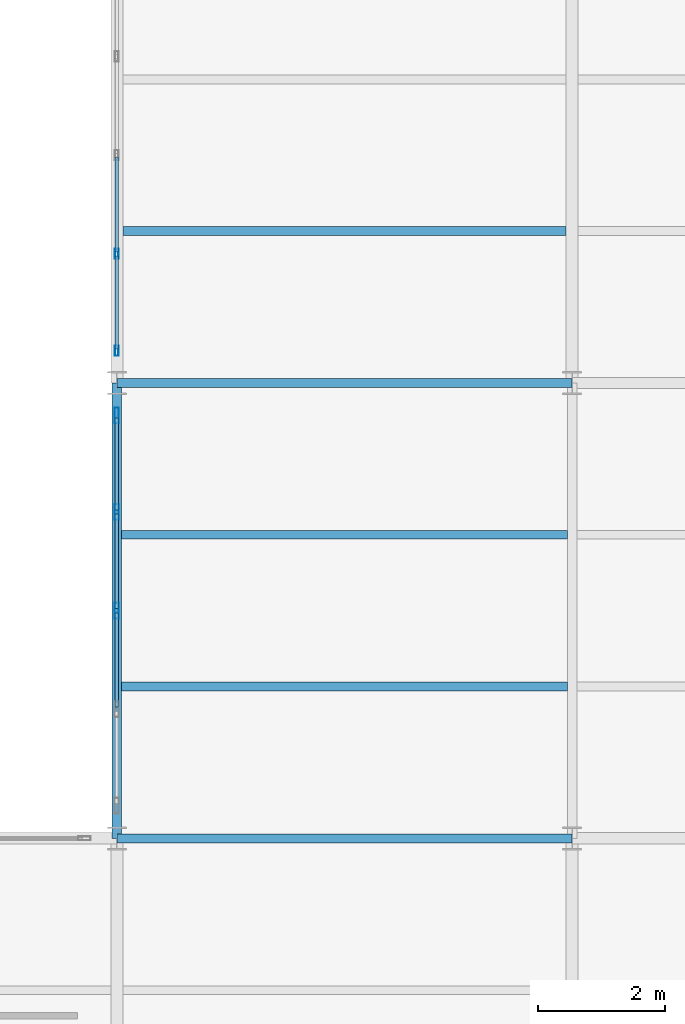
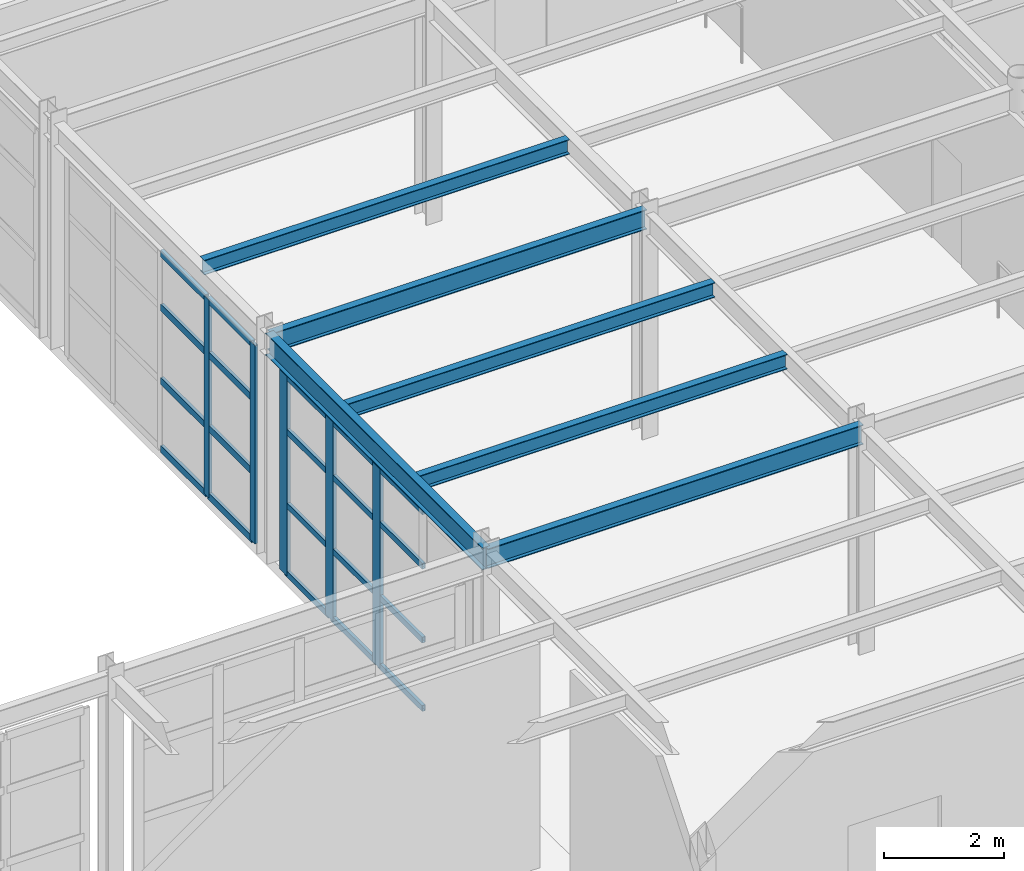
# One storey, part 33 of 126: 25 members, 6 beams, 2 elements without a shape of their own.
"""IFC4 building model written with IfcOpenShell, lengths in metres."""

from ifc_helpers import new_model, si_unit, direction, frame, origin, origin_2d, place, context, subcontext, project, spatial, hollow_rectangle, i_section, extrude, material, layer, layer_set, material_profile, profile_set, type_object, element, aggregate, save


model = new_model("IFC4")

# Units and contexts
model_context = context("Model", 3, precision=1e-05, world=origin(), true_north=direction((0.0, 1.0)))
body_context = subcontext(model_context, "Body", "Model", "MODEL_VIEW")
ifc_project = project(units=[si_unit("LENGTHUNIT", "METRE"), si_unit("AREAUNIT", "SQUARE_METRE"), si_unit("VOLUMEUNIT", "CUBIC_METRE"), si_unit("PLANEANGLEUNIT", "RADIAN"), si_unit("MASSUNIT", "GRAM", prefix="KILO")], contexts=[model_context])

# Site, building, storey
site_placement = place(None, origin())
site = spatial("IfcSite", under=ifc_project, at=site_placement, CompositionType="ELEMENT")
building_placement = place(site_placement, origin())
building = spatial("IfcBuilding", under=site, at=building_placement, Name="Solvadek Multi-Sports Hall", CompositionType="ELEMENT")
storey_placement = place(building_placement, frame((0.0, 0.0, 9.60009765625)))
storey = spatial("IfcBuildingStorey", under=building, at=storey_placement, Name="L02", CompositionType="ELEMENT", Elevation=9.60009765625)

# Curtain wall, members
ifc_material_1 = material(Name="Anodised aluminium", Category="aluminium")
ifc_layer_1 = layer(ifc_material_1, 0.159912109375, Name="Anodised aluminium")
ifc_layer_set_1 = layer_set([ifc_layer_1], Name="Anodised aluminium")
curtain_wall_type_1 = type_object("IfcCurtainWallType", Name="ENV-CW-624X403", PredefinedType="USERDEFINED", material=ifc_layer_set_1)
curtain_wall_1_placement = place(storey_placement, origin())
curtain_wall_1 = element("IfcCurtainWall", 1, at=curtain_wall_1_placement, inside=storey, type_object=curtain_wall_type_1, Name="L02 Perimeter Bay Curtain Wall #191", ObjectType="CURTAIN WALL", PredefinedType="USERDEFINED")
ifc_material_profile_1 = material_profile(ifc_material_1, hollow_rectangle(XDim=0.06005859375, YDim=0.159912109375, WallThickness=0.00390625, at=origin_2d()), Name="ALU-M 160x60x4")
ifc_profile_set_1 = profile_set([ifc_material_profile_1], Name="Anodised aluminium")
member_type_1 = type_object("IfcMemberType", Name="ENV-CWM-01", PredefinedType="MULLION", material=ifc_profile_set_1)
member_1_placement = place(storey_placement, frame((57.60009765625, 28.110107421875, 0.0), z_axis=(0.0, 0.0, 1.0), x_axis=(-1.0, 0.0, 0.0)))
member_1 = element("IfcMember", 2, at=member_1_placement, type_object=member_type_1, Name="CW-43 mullion 1", PredefinedType="MULLION", context=body_context, shape_type="SweptSolid", body=[
    extrude(hollow_rectangle(XDim=0.06005859375, YDim=0.159912109375, WallThickness=0.00390625, at=origin_2d()), origin(), (0.0, 0.0, 1.0), 4.02490234375),
])
member_2_placement = place(storey_placement, frame((57.60009765625, 29.639892578125, 0.0), z_axis=(0.0, 0.0, 1.0), x_axis=(-1.0, 0.0, 0.0)))
member_2 = element("IfcMember", 3, at=member_2_placement, type_object=member_type_1, Name="CW-43 mullion 2", PredefinedType="MULLION", context=body_context, shape_type="SweptSolid", body=[
    extrude(hollow_rectangle(XDim=0.06005859375, YDim=0.159912109375, WallThickness=0.00390625, at=origin_2d()), origin(), (0.0, 0.0, 1.0), 4.02490234375),
])

ifc_layer_2 = layer(ifc_material_1, 0.159912109375, Name="Anodised aluminium")
ifc_layer_set_2 = layer_set([ifc_layer_2], Name="Anodised aluminium")
curtain_wall_type_2 = type_object("IfcCurtainWallType", Name="ENV-CW-624X405", PredefinedType="USERDEFINED", material=ifc_layer_set_2)
curtain_wall_2_placement = place(storey_placement, origin())
curtain_wall_2 = element("IfcCurtainWall", 4, at=curtain_wall_2_placement, inside=storey, type_object=curtain_wall_type_2, Name="L02 Perimeter Bay Curtain Wall #185", ObjectType="CURTAIN WALL", PredefinedType="USERDEFINED")
ifc_material_profile_2 = material_profile(ifc_material_1, hollow_rectangle(XDim=0.070068359375, YDim=0.25, WallThickness=0.0048828125, at=origin_2d()), Name="ALU-M 250x70x5")
ifc_profile_set_2 = profile_set([ifc_material_profile_2], Name="Anodised aluminium")
member_type_2 = type_object("IfcMemberType", Name="ENV-CWM-05", PredefinedType="MULLION", material=ifc_profile_set_2)
member_3_placement = place(storey_placement, frame((57.60009765625, 24.0, 0.0), z_axis=(0.0, 0.0, 1.0), x_axis=(-1.0, 0.0, 0.0)))
member_3 = element("IfcMember", 5, at=member_3_placement, type_object=member_type_2, Name="CW-52 mullion 3", PredefinedType="MULLION", context=body_context, shape_type="SweptSolid", body=[
    extrude(hollow_rectangle(XDim=0.070068359375, YDim=0.25, WallThickness=0.0048828125, at=origin_2d()), origin(), (0.0, 0.0, 1.0), 4.0498046875),
])
member_4_placement = place(storey_placement, frame((57.60009765625, 25.56005859375, 0.0), z_axis=(0.0, 0.0, 1.0), x_axis=(-1.0, 0.0, 0.0)))
member_4 = element("IfcMember", 6, at=member_4_placement, type_object=member_type_2, Name="CW-52 mullion 4", PredefinedType="MULLION", context=body_context, shape_type="SweptSolid", body=[
    extrude(hollow_rectangle(XDim=0.070068359375, YDim=0.25, WallThickness=0.0048828125, at=origin_2d()), origin(), (0.0, 0.0, 1.0), 4.0498046875),
])
member_5_placement = place(storey_placement, frame((57.60009765625, 27.0849609375, 0.0), z_axis=(0.0, 0.0, 1.0), x_axis=(-1.0, 0.0, 0.0)))
member_5 = element("IfcMember", 7, at=member_5_placement, type_object=member_type_2, Name="CW-52 mullion 5", PredefinedType="MULLION", context=body_context, shape_type="SweptSolid", body=[
    extrude(hollow_rectangle(XDim=0.070068359375, YDim=0.25, WallThickness=0.0048828125, at=origin_2d()), origin(), (0.0, 0.0, 1.0), 4.0498046875),
])
ifc_material_profile_3 = material_profile(ifc_material_1, hollow_rectangle(XDim=0.06005859375, YDim=0.1201171875, WallThickness=0.00390625, at=origin_2d()), Name="ALU-T 120x60x4")
ifc_profile_set_3 = profile_set([ifc_material_profile_3], Name="Anodised aluminium")
member_type_3 = type_object("IfcMemberType", Name="ENV-CWT-01", PredefinedType="USERDEFINED", material=ifc_profile_set_3)
member_6_placement = place(storey_placement, frame((57.60009765625, 22.47509765625, 0.02978515625), z_axis=(0.0, 1.0, 0.0), x_axis=(-1.0, 0.0, 0.0)))
member_6 = element("IfcMember", 8, at=member_6_placement, type_object=member_type_3, Name="CW-52 transom 2.1", ObjectType="TRANSOM", PredefinedType="USERDEFINED", context=body_context, shape_type="SweptSolid", body=[
    extrude(hollow_rectangle(XDim=0.06005859375, YDim=0.1201171875, WallThickness=0.00390625, at=origin_2d()), origin(), (0.0, 0.0, 1.0), 1.489990234375),
])
member_7_placement = place(storey_placement, frame((57.60009765625, 22.47509765625, 1.41796875), z_axis=(0.0, 1.0, 0.0), x_axis=(-1.0, 0.0, 0.0)))
member_7 = element("IfcMember", 9, at=member_7_placement, type_object=member_type_3, Name="CW-52 transom 2.2", ObjectType="TRANSOM", PredefinedType="USERDEFINED", context=body_context, shape_type="SweptSolid", body=[
    extrude(hollow_rectangle(XDim=0.06005859375, YDim=0.1201171875, WallThickness=0.00390625, at=origin_2d()), origin(), (0.0, 0.0, 1.0), 1.489990234375),
])
member_8_placement = place(storey_placement, frame((57.60009765625, 22.47509765625, 2.916015625), z_axis=(0.0, 1.0, 0.0), x_axis=(-1.0, 0.0, 0.0)))
member_8 = element("IfcMember", 10, at=member_8_placement, type_object=member_type_3, Name="CW-52 transom 2.3", ObjectType="TRANSOM", PredefinedType="USERDEFINED", context=body_context, shape_type="SweptSolid", body=[
    extrude(hollow_rectangle(XDim=0.06005859375, YDim=0.1201171875, WallThickness=0.00390625, at=origin_2d()), origin(), (0.0, 0.0, 1.0), 1.489990234375),
])
member_9_placement = place(storey_placement, frame((57.60009765625, 22.47509765625, 4.02001953125), z_axis=(0.0, 1.0, 0.0), x_axis=(-1.0, 0.0, 0.0)))
member_9 = element("IfcMember", 11, at=member_9_placement, type_object=member_type_3, Name="CW-52 transom 2.4", ObjectType="TRANSOM", PredefinedType="USERDEFINED", context=body_context, shape_type="SweptSolid", body=[
    extrude(hollow_rectangle(XDim=0.06005859375, YDim=0.1201171875, WallThickness=0.00390625, at=origin_2d()), origin(), (0.0, 0.0, 1.0), 1.489990234375),
])
member_10_placement = place(storey_placement, frame((57.60009765625, 24.034912109375, 0.02978515625), z_axis=(0.0, 1.0, 0.0), x_axis=(-1.0, 0.0, 0.0)))
member_10 = element("IfcMember", 12, at=member_10_placement, type_object=member_type_3, Name="CW-52 transom 3.1", ObjectType="TRANSOM", PredefinedType="USERDEFINED", context=body_context, shape_type="SweptSolid", body=[
    extrude(hollow_rectangle(XDim=0.06005859375, YDim=0.1201171875, WallThickness=0.00390625, at=origin_2d()), origin(), (0.0, 0.0, 1.0), 1.489990234375),
])
member_11_placement = place(storey_placement, frame((57.60009765625, 24.034912109375, 1.41796875), z_axis=(0.0, 1.0, 0.0), x_axis=(-1.0, 0.0, 0.0)))
member_11 = element("IfcMember", 13, at=member_11_placement, type_object=member_type_3, Name="CW-52 transom 3.2", ObjectType="TRANSOM", PredefinedType="USERDEFINED", context=body_context, shape_type="SweptSolid", body=[
    extrude(hollow_rectangle(XDim=0.06005859375, YDim=0.1201171875, WallThickness=0.00390625, at=origin_2d()), origin(), (0.0, 0.0, 1.0), 1.489990234375),
])
member_12_placement = place(storey_placement, frame((57.60009765625, 24.034912109375, 2.916015625), z_axis=(0.0, 1.0, 0.0), x_axis=(-1.0, 0.0, 0.0)))
member_12 = element("IfcMember", 14, at=member_12_placement, type_object=member_type_3, Name="CW-52 transom 3.3", ObjectType="TRANSOM", PredefinedType="USERDEFINED", context=body_context, shape_type="SweptSolid", body=[
    extrude(hollow_rectangle(XDim=0.06005859375, YDim=0.1201171875, WallThickness=0.00390625, at=origin_2d()), origin(), (0.0, 0.0, 1.0), 1.489990234375),
])
member_13_placement = place(storey_placement, frame((57.60009765625, 24.034912109375, 4.02001953125), z_axis=(0.0, 1.0, 0.0), x_axis=(-1.0, 0.0, 0.0)))
member_13 = element("IfcMember", 15, at=member_13_placement, type_object=member_type_3, Name="CW-52 transom 3.4", ObjectType="TRANSOM", PredefinedType="USERDEFINED", context=body_context, shape_type="SweptSolid", body=[
    extrude(hollow_rectangle(XDim=0.06005859375, YDim=0.1201171875, WallThickness=0.00390625, at=origin_2d()), origin(), (0.0, 0.0, 1.0), 1.489990234375),
])
member_14_placement = place(storey_placement, frame((57.60009765625, 25.594970703125, 0.02978515625), z_axis=(0.0, 1.0, 0.0), x_axis=(-1.0, 0.0, 0.0)))
member_14 = element("IfcMember", 16, at=member_14_placement, type_object=member_type_3, Name="CW-52 transom 4.1", ObjectType="TRANSOM", PredefinedType="USERDEFINED", context=body_context, shape_type="SweptSolid", body=[
    extrude(hollow_rectangle(XDim=0.06005859375, YDim=0.1201171875, WallThickness=0.00390625, at=origin_2d()), origin(), (0.0, 0.0, 1.0), 1.455078125),
])
member_15_placement = place(storey_placement, frame((57.60009765625, 25.594970703125, 1.41796875), z_axis=(0.0, 1.0, 0.0), x_axis=(-1.0, 0.0, 0.0)))
member_15 = element("IfcMember", 17, at=member_15_placement, type_object=member_type_3, Name="CW-52 transom 4.2", ObjectType="TRANSOM", PredefinedType="USERDEFINED", context=body_context, shape_type="SweptSolid", body=[
    extrude(hollow_rectangle(XDim=0.06005859375, YDim=0.1201171875, WallThickness=0.00390625, at=origin_2d()), origin(), (0.0, 0.0, 1.0), 1.455078125),
])
member_16_placement = place(storey_placement, frame((57.60009765625, 25.594970703125, 2.916015625), z_axis=(0.0, 1.0, 0.0), x_axis=(-1.0, 0.0, 0.0)))
member_16 = element("IfcMember", 18, at=member_16_placement, type_object=member_type_3, Name="CW-52 transom 4.3", ObjectType="TRANSOM", PredefinedType="USERDEFINED", context=body_context, shape_type="SweptSolid", body=[
    extrude(hollow_rectangle(XDim=0.06005859375, YDim=0.1201171875, WallThickness=0.00390625, at=origin_2d()), origin(), (0.0, 0.0, 1.0), 1.455078125),
])
member_17_placement = place(storey_placement, frame((57.60009765625, 25.594970703125, 4.02001953125), z_axis=(0.0, 1.0, 0.0), x_axis=(-1.0, 0.0, 0.0)))
member_17 = element("IfcMember", 19, at=member_17_placement, type_object=member_type_3, Name="CW-52 transom 4.4", ObjectType="TRANSOM", PredefinedType="USERDEFINED", context=body_context, shape_type="SweptSolid", body=[
    extrude(hollow_rectangle(XDim=0.06005859375, YDim=0.1201171875, WallThickness=0.00390625, at=origin_2d()), origin(), (0.0, 0.0, 1.0), 1.455078125),
])
aggregate(curtain_wall_2, [member_3, member_4, member_5, member_6, member_7, member_8, member_9, member_10, member_11, member_12, member_13, member_14, member_15, member_16, member_17])

# Member
ifc_material_profile_4 = material_profile(ifc_material_1, hollow_rectangle(XDim=0.06005859375, YDim=0.139892578125, WallThickness=0.00390625, at=origin_2d()), Name="ALU-T 140x60x4")
ifc_profile_set_4 = profile_set([ifc_material_profile_4], Name="Anodised aluminium")
member_type_4 = type_object("IfcMemberType", Name="ENV-CWT-02", PredefinedType="USERDEFINED", material=ifc_profile_set_4)
member_18_placement = place(storey_placement, frame((57.60009765625, 28.139892578125, 0.02978515625), z_axis=(0.0, 1.0, 0.0), x_axis=(-1.0, 0.0, 0.0)))
member_18 = element("IfcMember", 20, at=member_18_placement, type_object=member_type_4, Name="CW-43 transom 1.1", ObjectType="TRANSOM", PredefinedType="USERDEFINED", context=body_context, shape_type="SweptSolid", body=[
    extrude(hollow_rectangle(XDim=0.06005859375, YDim=0.139892578125, WallThickness=0.00390625, at=origin_2d()), origin(), (0.0, 0.0, 1.0), 1.47021484375),
])

member_19_placement = place(storey_placement, frame((57.60009765625, 28.139892578125, 1.408935546875), z_axis=(0.0, 1.0, 0.0), x_axis=(-1.0, 0.0, 0.0)))
member_19 = element("IfcMember", 21, at=member_19_placement, type_object=member_type_4, Name="CW-43 transom 1.2", ObjectType="TRANSOM", PredefinedType="USERDEFINED", context=body_context, shape_type="SweptSolid", body=[
    extrude(hollow_rectangle(XDim=0.06005859375, YDim=0.139892578125, WallThickness=0.00390625, at=origin_2d()), origin(), (0.0, 0.0, 1.0), 1.47021484375),
])

member_20_placement = place(storey_placement, frame((57.60009765625, 28.139892578125, 2.89794921875), z_axis=(0.0, 1.0, 0.0), x_axis=(-1.0, 0.0, 0.0)))
member_20 = element("IfcMember", 22, at=member_20_placement, type_object=member_type_4, Name="CW-43 transom 1.3", ObjectType="TRANSOM", PredefinedType="USERDEFINED", context=body_context, shape_type="SweptSolid", body=[
    extrude(hollow_rectangle(XDim=0.06005859375, YDim=0.139892578125, WallThickness=0.00390625, at=origin_2d()), origin(), (0.0, 0.0, 1.0), 1.47021484375),
])

member_21_placement = place(storey_placement, frame((57.60009765625, 28.139892578125, 3.994873046875), z_axis=(0.0, 1.0, 0.0), x_axis=(-1.0, 0.0, 0.0)))
member_21 = element("IfcMember", 23, at=member_21_placement, type_object=member_type_4, Name="CW-43 transom 1.4", ObjectType="TRANSOM", PredefinedType="USERDEFINED", context=body_context, shape_type="SweptSolid", body=[
    extrude(hollow_rectangle(XDim=0.06005859375, YDim=0.139892578125, WallThickness=0.00390625, at=origin_2d()), origin(), (0.0, 0.0, 1.0), 1.47021484375),
])

member_22_placement = place(storey_placement, frame((57.60009765625, 29.669921875, 0.02978515625), z_axis=(0.0, 1.0, 0.0), x_axis=(-1.0, 0.0, 0.0)))
member_22 = element("IfcMember", 24, at=member_22_placement, type_object=member_type_4, Name="CW-43 transom 2.1", ObjectType="TRANSOM", PredefinedType="USERDEFINED", context=body_context, shape_type="SweptSolid", body=[
    extrude(hollow_rectangle(XDim=0.06005859375, YDim=0.139892578125, WallThickness=0.00390625, at=origin_2d()), origin(), (0.0, 0.0, 1.0), 1.5),
])

member_23_placement = place(storey_placement, frame((57.60009765625, 29.669921875, 1.408935546875), z_axis=(0.0, 1.0, 0.0), x_axis=(-1.0, 0.0, 0.0)))
member_23 = element("IfcMember", 25, at=member_23_placement, type_object=member_type_4, Name="CW-43 transom 2.2", ObjectType="TRANSOM", PredefinedType="USERDEFINED", context=body_context, shape_type="SweptSolid", body=[
    extrude(hollow_rectangle(XDim=0.06005859375, YDim=0.139892578125, WallThickness=0.00390625, at=origin_2d()), origin(), (0.0, 0.0, 1.0), 1.5),
])

member_24_placement = place(storey_placement, frame((57.60009765625, 29.669921875, 2.89794921875), z_axis=(0.0, 1.0, 0.0), x_axis=(-1.0, 0.0, 0.0)))
member_24 = element("IfcMember", 26, at=member_24_placement, type_object=member_type_4, Name="CW-43 transom 2.3", ObjectType="TRANSOM", PredefinedType="USERDEFINED", context=body_context, shape_type="SweptSolid", body=[
    extrude(hollow_rectangle(XDim=0.06005859375, YDim=0.139892578125, WallThickness=0.00390625, at=origin_2d()), origin(), (0.0, 0.0, 1.0), 1.5),
])

member_25_placement = place(storey_placement, frame((57.60009765625, 29.669921875, 3.994873046875), z_axis=(0.0, 1.0, 0.0), x_axis=(-1.0, 0.0, 0.0)))
member_25 = element("IfcMember", 27, at=member_25_placement, type_object=member_type_4, Name="CW-43 transom 2.4", ObjectType="TRANSOM", PredefinedType="USERDEFINED", context=body_context, shape_type="SweptSolid", body=[
    extrude(hollow_rectangle(XDim=0.06005859375, YDim=0.139892578125, WallThickness=0.00390625, at=origin_2d()), origin(), (0.0, 0.0, 1.0), 1.5),
])

aggregate(curtain_wall_1, [member_1, member_2, member_18, member_19, member_20, member_21, member_22, member_23, member_24, member_25])

# Beams
ifc_material_2 = material(Name="Steel E350 (350 MPa)", Category="steel")
ifc_material_profile_5 = material_profile(ifc_material_2, i_section(OverallWidth=0.139892578125, OverallDepth=0.39990234375, WebThickness=0.0087890625, FlangeThickness=0.01611328125, at=origin_2d()), Name="ISMB 400")
ifc_profile_set_5 = profile_set([ifc_material_profile_5], Name="Steel E350 (350 MPa)")
beam_type_1 = type_object("IfcBeamType", Name="STR-BM-ISMB400", PredefinedType="BEAM", material=ifc_profile_set_5)
for number, where, z_axis, x_axis, name in (
    (28, (57.60009765625, 20.39990234375, 4.35986328125), (1.0, 0.0, 0.0), (0.0, 1.0, 0.0), "L02 Girder B-10 #1334"),
    (29, (57.60009765625, 27.60009765625, 4.35986328125), (1.0, 0.0, 0.0), (0.0, 1.0, 0.0), "L02 Girder B-10 #1339"),
):
    element("IfcBeam", number, at=place(storey_placement, frame(where, z_axis=z_axis, x_axis=x_axis)), inside=storey, type_object=beam_type_1, Name=name, PredefinedType="BEAM", context=body_context, shape_type="SweptSolid", body=[
        extrude(i_section(OverallWidth=0.139892578125, OverallDepth=0.39990234375, WebThickness=0.0087890625, FlangeThickness=0.01611328125, at=origin_2d()), origin(), (0.0, 0.0, 1.0), 7.199951171875),
    ])
ifc_material_profile_6 = material_profile(ifc_material_2, i_section(OverallWidth=0.14990234375, OverallDepth=0.449951171875, WebThickness=0.009521484375, FlangeThickness=0.017333984375, at=origin_2d()), Name="ISMB 450")
ifc_profile_set_6 = profile_set([ifc_material_profile_6], Name="Steel E350 (350 MPa)")
beam_type_2 = type_object("IfcBeamType", Name="STR-BM-ISMB450", PredefinedType="BEAM", material=ifc_profile_set_6)
beam_1_placement = place(storey_placement, frame((57.60009765625, 20.39990234375, 4.3349609375), z_axis=(0.0, 1.0, 0.0), x_axis=(-1.0, 0.0, 0.0)))
element("IfcBeam", 30, at=beam_1_placement, inside=storey, type_object=beam_type_2, Name="L02 Girder B-09 #1524", PredefinedType="BEAM", context=body_context, shape_type="SweptSolid", body=[
    extrude(i_section(OverallWidth=0.14990234375, OverallDepth=0.449951171875, WebThickness=0.009521484375, FlangeThickness=0.017333984375, at=origin_2d()), origin(), (0.0, 0.0, 1.0), 7.2001953125),
])
ifc_material_profile_7 = material_profile(ifc_material_2, i_section(OverallWidth=0.139892578125, OverallDepth=0.300048828125, WebThickness=0.0078125, FlangeThickness=0.01318359375, at=origin_2d()), Name="ISMB 300")
ifc_profile_set_7 = profile_set([ifc_material_profile_7], Name="Steel E350 (350 MPa)")
beam_type_3 = type_object("IfcBeamType", Name="STR-JST-ISMB300", PredefinedType="JOIST", material=ifc_profile_set_7)
for number, where, z_axis, x_axis, name in (
    (31, (57.675048828125, 22.800048828125, 4.409912109375), (1.0, 0.0, 0.0), (0.0, 1.0, 0.0), "L02 Composite Joist J-03 #777"),
    (32, (57.675048828125, 25.199951171875, 4.409912109375), (1.0, 0.0, 0.0), (0.0, 1.0, 0.0), "L02 Composite Joist J-03 #778"),
):
    element("IfcBeam", number, at=place(storey_placement, frame(where, z_axis=z_axis, x_axis=x_axis)), inside=storey, type_object=beam_type_3, Name=name, PredefinedType="JOIST", context=body_context, shape_type="SweptSolid", body=[
        extrude(i_section(OverallWidth=0.139892578125, OverallDepth=0.300048828125, WebThickness=0.0078125, FlangeThickness=0.01318359375, at=origin_2d()), origin(), (0.0, 0.0, 1.0), 7.050048828125),
    ])
beam_2_placement = place(storey_placement, frame((57.695068359375, 30.0, 4.409912109375), z_axis=(1.0, 0.0, 0.0), x_axis=(0.0, 1.0, 0.0)))
element("IfcBeam", 33, at=beam_2_placement, inside=storey, type_object=beam_type_3, Name="L02 Composite Joist J-03 #787", PredefinedType="JOIST", context=body_context, shape_type="SweptSolid", body=[
    extrude(i_section(OverallWidth=0.139892578125, OverallDepth=0.300048828125, WebThickness=0.0078125, FlangeThickness=0.01318359375, at=origin_2d()), origin(), (0.0, 0.0, 1.0), 7.010009765625),
])

save(model, "model.ifc")
